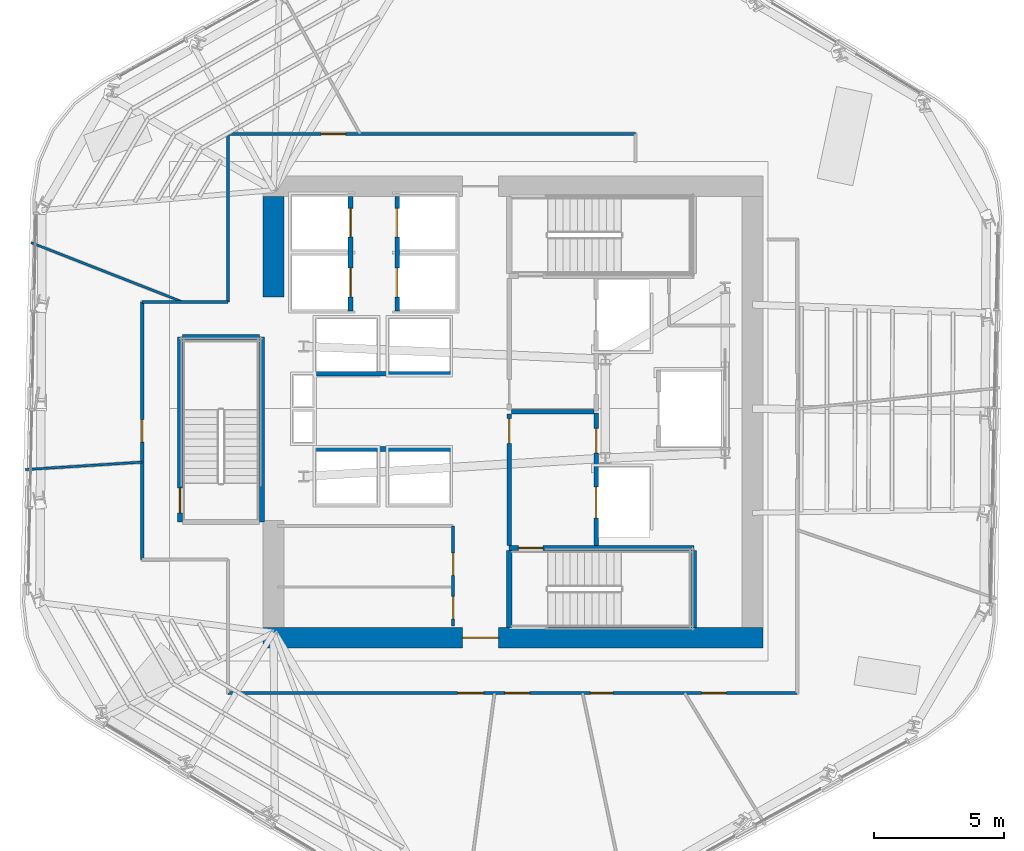
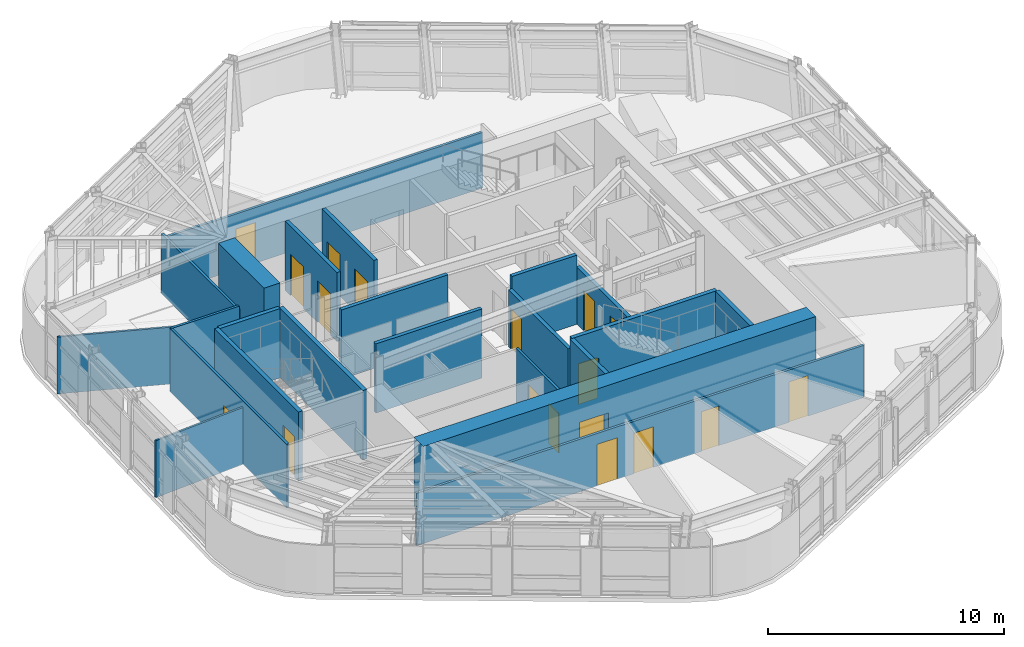
# One storey, part 7 of 14: 23 walls, 18 doors, 18 openings.
"""IFC4 building model written with IfcOpenShell, lengths in metres."""

from ifc_helpers import new_model, si_unit, direction, frame, frame_2d, origin, place, context, subcontext, project, spatial, rectangle, extrude, material, layer, layer_set, type_object, element, fill, save


model = new_model("IFC4")

# Units and contexts
model_context = context("Model", 3, precision=1e-05, world=origin(), true_north=direction((0.0, 1.0)))
body_context = subcontext(model_context, "Body", "Model", "MODEL_VIEW")
ifc_project = project(units=[si_unit("LENGTHUNIT", "METRE"), si_unit("AREAUNIT", "SQUARE_METRE"), si_unit("VOLUMEUNIT", "CUBIC_METRE"), si_unit("PLANEANGLEUNIT", "RADIAN"), si_unit("MASSUNIT", "GRAM", prefix="KILO")], contexts=[model_context])

# Site, building, storey
site_placement = place(None, origin())
site = spatial("IfcSite", under=ifc_project, at=site_placement, CompositionType="ELEMENT")
building_placement = place(site_placement, origin())
building = spatial("IfcBuilding", under=site, at=building_placement, Name="Valkerne Bourse Tower", CompositionType="ELEMENT")
storey_placement = place(building_placement, frame((0.0, 0.0, 147.60009765625)))
storey = spatial("IfcBuildingStorey", under=building, at=storey_placement, Name="L37", CompositionType="ELEMENT", Elevation=147.60009765625)

# Wall, opening, door
ifc_material_1 = material(Name="Concrete C55/67", Category="concrete")
ifc_layer_1 = layer(ifc_material_1, 0.800048828125)
ifc_layer_set_1 = layer_set([ifc_layer_1], Name="Concrete C55/67")
wall_type_1 = type_object("IfcWallType", Name="W-CORE-800", PredefinedType="SHEAR", material=ifc_layer_set_1)
wall_1_placement = place(storey_placement, frame((37.199951171875, 18.199951171875, 0.0), z_axis=(0.0, 0.0, 1.0), x_axis=(1.0, 0.0, 0.0)))
wall_1 = element("IfcWall", 1, at=wall_1_placement, inside=storey, type_object=wall_type_1, Name="L37 Core Shear Wall SOUTH", PredefinedType="SHEAR", context=body_context, shape_type="SweptSolid", body=[
    extrude(rectangle(XDim=19.199951171875, YDim=0.800048828125, at=frame_2d((9.60009765625, 0.0))), origin(), (0.0, 0.0, 1.0), 3.579833984375),
])
opening_1_placement = place(wall_1_placement, frame((7.64990234375, 0.0, 0.0)))
opening_1 = element("IfcOpeningElement", 2, at=opening_1_placement, cuts=wall_1, Name="Opening D-PL-1400", PredefinedType="OPENING", context=body_context, shape_type="SweptSolid", body=[
    extrude(rectangle(XDim=1.39990234375, YDim=2.14990234375, at=frame_2d((0.699951171875, 1.074951171875))), frame((0.0, 0.409912109375, 0.0), z_axis=(0.0, -1.0, 0.0), x_axis=(1.0, 0.0, 0.0)), (0.0, 0.0, 1.0), 0.820068359375),
])
ifc_material_2 = material(Name="Galvanised Painted Steel", Category="steel")
door_type_1 = type_object("IfcDoorType", Name="DR-PLT-1400", OperationType="DOUBLE_DOOR_SINGLE_SWING", PredefinedType="DOOR", material=ifc_material_2)
door_1_placement = place(opening_1_placement, origin())
door_1 = element("IfcDoor", 3, at=door_1_placement, inside=storey, type_object=door_type_1, Name="L37 South Passenger Lift Hall Fire Door", OperationType="DOUBLE_DOOR_SINGLE_SWING", OverallHeight=2.14990234375, OverallWidth=1.39990234375, PredefinedType="DOOR", context=body_context, shape_type="SweptSolid", body=[
    extrude(rectangle(XDim=1.39990234375, YDim=2.14990234375, at=frame_2d((0.699951171875, 1.074951171875))), frame((0.0, 0.02490234375, 0.0), z_axis=(0.0, -1.0, 0.0), x_axis=(1.0, 0.0, 0.0)), (0.0, 0.0, 1.0), 0.050048828125),
])
fill(opening_1, door_1)

# Wall
wall_2_placement = place(storey_placement, frame((37.60009765625, 31.300048828125, 0.0), z_axis=(0.0, 0.0, 1.0), x_axis=(0.0, 1.0, 0.0)))
element("IfcWall", 4, at=wall_2_placement, inside=storey, type_object=wall_type_1, Name="L37 Core Shear Wall WEST-N", PredefinedType="SHEAR", context=body_context, shape_type="SweptSolid", body=[
    extrude(rectangle(XDim=3.849853515625, YDim=0.800048828125, at=frame_2d((1.9248046875, 0.0))), origin(), (0.0, 0.0, 1.0), 3.579833984375),
])

# Wall, openings, doors
ifc_material_3 = material(Name="Gypsum Board Steel-Stud Partition", Category="steel")
ifc_layer_2 = layer(ifc_material_3, 0.117919921875)
ifc_layer_set_2 = layer_set([ifc_layer_2], Name="Gypsum Board Steel-Stud Partition")
wall_type_2 = type_object("IfcWallType", Name="W-CORR-140", PredefinedType="PARTITIONING", material=ifc_layer_set_2)
wall_3_placement = place(storey_placement, frame((44.5, 18.64990234375, 0.0), z_axis=(0.0, 0.0, 1.0), x_axis=(0.0, 1.0, 0.0)))
wall_3 = element("IfcWall", 5, at=wall_3_placement, inside=storey, type_object=wall_type_2, Name="L37 LV7 Low-Bank East Wall", PredefinedType="PARTITIONING", context=body_context, shape_type="SweptSolid", body=[
    extrude(rectangle(XDim=3.85009765625, YDim=0.117919921875, at=frame_2d((1.925048828125, 0.0))), origin(), (0.0, 0.0, 1.0), 3.27978515625),
])
opening_2_placement = place(wall_3_placement, frame((0.280029296875, 0.0, 0.0)))
opening_2 = element("IfcOpeningElement", 6, at=opening_2_placement, cuts=wall_3, Name="Opening D-WC-900", PredefinedType="OPENING", context=body_context, shape_type="SweptSolid", body=[
    extrude(rectangle(XDim=0.860107421875, YDim=2.050048828125, at=frame_2d((0.43017578125, 1.02490234375))), frame((0.0, 0.06884765625, 0.0), z_axis=(0.0, -1.0, 0.0), x_axis=(1.0, 0.0, 0.0)), (0.0, 0.0, 1.0), 0.137939453125),
])
opening_3_placement = place(wall_3_placement, frame((1.949951171875, 0.0, 0.0)))
opening_3 = element("IfcOpeningElement", 7, at=opening_3_placement, cuts=wall_3, Name="Opening D-WC-900", PredefinedType="OPENING", context=body_context, shape_type="SweptSolid", body=[
    extrude(rectangle(XDim=0.860107421875, YDim=2.050048828125, at=frame_2d((0.43017578125, 1.02490234375))), frame((0.0, 0.06884765625, 0.0), z_axis=(0.0, -1.0, 0.0), x_axis=(1.0, 0.0, 0.0)), (0.0, 0.0, 1.0), 0.137939453125),
])
ifc_material_4 = material(Name="Architectural White Oak Timber", Category="wood")
door_type_2 = type_object("IfcDoorType", Name="DR-WC-900", OperationType="NOTDEFINED", PredefinedType="DOOR", material=ifc_material_4)
door_2_placement = place(opening_2_placement, origin())
door_2 = element("IfcDoor", 8, at=door_2_placement, inside=storey, type_object=door_type_2, Name="L37 Tea Pantry Door", OperationType="SINGLE_SWING_RIGHT", OverallHeight=2.050048828125, OverallWidth=0.860107421875, PredefinedType="DOOR", context=body_context, shape_type="SweptSolid", body=[
    extrude(rectangle(XDim=0.860107421875, YDim=2.050048828125, at=frame_2d((0.43017578125, 1.02490234375))), frame((0.0, 0.02490234375, 0.0), z_axis=(0.0, -1.0, 0.0), x_axis=(1.0, 0.0, 0.0)), (0.0, 0.0, 1.0), 0.050048828125),
])
fill(opening_2, door_2)
door_3_placement = place(opening_3_placement, origin())
door_3 = element("IfcDoor", 9, at=door_3_placement, inside=storey, type_object=door_type_2, Name="L37 Portfolio Risk Office Door", OperationType="SINGLE_SWING_RIGHT", OverallHeight=2.050048828125, OverallWidth=0.860107421875, PredefinedType="DOOR", context=body_context, shape_type="SweptSolid", body=[
    extrude(rectangle(XDim=0.860107421875, YDim=2.050048828125, at=frame_2d((0.43017578125, 1.02490234375))), frame((0.0, 0.02490234375, 0.0), z_axis=(0.0, -1.0, 0.0), x_axis=(1.0, 0.0, 0.0)), (0.0, 0.0, 1.0), 0.050048828125),
])
fill(opening_3, door_3)

# Wall, opening, door
wall_4_placement = place(storey_placement, frame((32.550048828125, 21.199951171875, 0.0), z_axis=(0.0, 0.0, 1.0), x_axis=(0.0, 1.0, 0.0)))
wall_4 = element("IfcWall", 10, at=wall_4_placement, inside=storey, type_object=wall_type_2, Name="L37 Corridor Enclosure Wall", PredefinedType="PARTITIONING", context=body_context, shape_type="SweptSolid", body=[
    extrude(rectangle(XDim=9.900146484375, YDim=0.117919921875, at=frame_2d((4.9501953125, 0.0))), origin(), (0.0, 0.0, 1.0), 3.27978515625),
])
opening_4_placement = place(wall_4_placement, frame((4.52001953125, 0.0, 0.0)))
opening_4 = element("IfcOpeningElement", 11, at=opening_4_placement, cuts=wall_4, Name="Opening D-WC-900", PredefinedType="OPENING", context=body_context, shape_type="SweptSolid", body=[
    extrude(rectangle(XDim=0.860107421875, YDim=2.050048828125, at=frame_2d((0.43017578125, 1.02490234375))), frame((0.0, 0.06884765625, 0.0), z_axis=(0.0, -1.0, 0.0), x_axis=(1.0, 0.0, 0.0)), (0.0, 0.0, 1.0), 0.137939453125),
])
door_4_placement = place(opening_4_placement, origin())
door_4 = element("IfcDoor", 12, at=door_4_placement, inside=storey, type_object=door_type_2, Name="L37 L37 Women Restroom & Shower WC 2 Door", OperationType="SINGLE_SWING_LEFT", OverallHeight=2.050048828125, OverallWidth=0.860107421875, PredefinedType="DOOR", context=body_context, shape_type="SweptSolid", body=[
    extrude(rectangle(XDim=0.860107421875, YDim=2.050048828125, at=frame_2d((0.43017578125, 1.02490234375))), frame((0.0, 0.02490234375, 0.0), z_axis=(0.0, -1.0, 0.0), x_axis=(1.0, 0.0, 0.0)), (0.0, 0.0, 1.0), 0.050048828125),
])
fill(opening_4, door_4)

# Walls
wall_5_placement = place(storey_placement, frame((32.550048828125, 31.10009765625, 0.0), z_axis=(0.0, 0.0, 1.0), x_axis=(1.0, 0.0, 0.0)))
element("IfcWall", 13, at=wall_5_placement, inside=storey, type_object=wall_type_2, Name="L37 Corridor Enclosure Wall", PredefinedType="PARTITIONING", context=body_context, shape_type="SweptSolid", body=[
    extrude(rectangle(XDim=3.300048828125, YDim=0.117919921875, at=frame_2d((1.64990234375, 0.0))), origin(), (0.0, 0.0, 1.0), 3.27978515625),
])
wall_6_placement = place(storey_placement, frame((35.85009765625, 31.10009765625, 0.0), z_axis=(0.0, 0.0, 1.0), x_axis=(0.0, 1.0, 0.0)))
element("IfcWall", 14, at=wall_6_placement, inside=storey, type_object=wall_type_2, Name="L37 Corridor Enclosure Wall", PredefinedType="PARTITIONING", context=body_context, shape_type="SweptSolid", body=[
    extrude(rectangle(XDim=6.4599609375, YDim=0.117919921875, at=frame_2d((3.22998046875, 0.0))), origin(), (0.0, 0.0, 1.0), 3.107666015625),
])

# Wall, opening, door
wall_7_placement = place(storey_placement, frame((35.85009765625, 37.56005859375, 0.0), z_axis=(0.0, 0.0, 1.0), x_axis=(1.0, 0.0, 0.0)))
wall_7 = element("IfcWall", 15, at=wall_7_placement, inside=storey, type_object=wall_type_2, Name="L37 Corridor Enclosure Wall", PredefinedType="PARTITIONING", context=body_context, shape_type="SweptSolid", body=[
    extrude(rectangle(XDim=15.64990234375, YDim=0.117919921875, at=frame_2d((7.824951171875, 0.0))), origin(), (0.0, 0.0, 1.0), 2.87646484375),
])
opening_5_placement = place(wall_7_placement, frame((3.570068359375, 0.0, 0.0)))
opening_5 = element("IfcOpeningElement", 16, at=opening_5_placement, cuts=wall_7, Name="Opening D-OF-950", PredefinedType="OPENING", context=body_context, shape_type="SweptSolid", body=[
    extrude(rectangle(XDim=0.949951171875, YDim=2.10009765625, at=frame_2d((0.47509765625, 1.050048828125))), frame((0.0, 0.06884765625, 0.0), z_axis=(0.0, -1.0, 0.0), x_axis=(1.0, 0.0, 0.0)), (0.0, 0.0, 1.0), 0.137939453125),
])
door_type_3 = type_object("IfcDoorType", Name="DR-OFF-950", OperationType="NOTDEFINED", PredefinedType="DOOR", material=ifc_material_4)
door_5_placement = place(opening_5_placement, origin())
door_5 = element("IfcDoor", 17, at=door_5_placement, inside=storey, type_object=door_type_3, Name="L37 L37 VIP Client Concierge Reception 6 Door", OperationType="SINGLE_SWING_LEFT", OverallHeight=2.10009765625, OverallWidth=0.949951171875, PredefinedType="DOOR", context=body_context, shape_type="SweptSolid", body=[
    extrude(rectangle(XDim=0.949951171875, YDim=2.10009765625, at=frame_2d((0.47509765625, 1.050048828125))), frame((0.0, 0.02490234375, 0.0), z_axis=(0.0, -1.0, 0.0), x_axis=(1.0, 0.0, 0.0)), (0.0, 0.0, 1.0), 0.050048828125),
])
fill(opening_5, door_5)

# Wall, openings, doors
wall_8_placement = place(storey_placement, frame((57.719970703125, 16.080078125, 0.0), z_axis=(0.0, 0.0, 1.0), x_axis=(-1.0, 0.0, 0.0)))
wall_8 = element("IfcWall", 18, at=wall_8_placement, inside=storey, type_object=wall_type_2, Name="L37 Corridor Enclosure Wall", PredefinedType="PARTITIONING", context=body_context, shape_type="SweptSolid", body=[
    extrude(rectangle(XDim=21.869873046875, YDim=0.117919921875, at=frame_2d((10.93505859375, 0.0))), origin(), (0.0, 0.0, 1.0), 2.71142578125),
])
opening_6_placement = place(wall_8_placement, frame((7.0849609375, 0.0, 0.0)))
opening_6 = element("IfcOpeningElement", 19, at=opening_6_placement, cuts=wall_8, Name="Opening D-WC-900", PredefinedType="OPENING", context=body_context, shape_type="SweptSolid", body=[
    extrude(rectangle(XDim=0.860107421875, YDim=2.050048828125, at=frame_2d((0.43017578125, 1.02490234375))), frame((0.0, 0.06884765625, 0.0), z_axis=(0.0, -1.0, 0.0), x_axis=(1.0, 0.0, 0.0)), (0.0, 0.0, 1.0), 0.137939453125),
])
opening_7_placement = place(wall_8_placement, frame((10.280029296875, 0.0, 0.0)))
opening_7 = element("IfcOpeningElement", 20, at=opening_7_placement, cuts=wall_8, Name="Opening D-OF-950", PredefinedType="OPENING", context=body_context, shape_type="SweptSolid", body=[
    extrude(rectangle(XDim=0.949951171875, YDim=2.10009765625, at=frame_2d((0.47509765625, 1.050048828125))), frame((0.0, 0.06884765625, 0.0), z_axis=(0.0, -1.0, 0.0), x_axis=(1.0, 0.0, 0.0)), (0.0, 0.0, 1.0), 0.137939453125),
])
opening_8_placement = place(wall_8_placement, frame((2.719970703125, 0.0, 0.0)))
opening_8 = element("IfcOpeningElement", 21, at=opening_8_placement, cuts=wall_8, Name="Opening D-OF-950", PredefinedType="OPENING", context=body_context, shape_type="SweptSolid", body=[
    extrude(rectangle(XDim=0.949951171875, YDim=2.10009765625, at=frame_2d((0.47509765625, 1.050048828125))), frame((0.0, 0.06884765625, 0.0), z_axis=(0.0, -1.0, 0.0), x_axis=(1.0, 0.0, 0.0)), (0.0, 0.0, 1.0), 0.137939453125),
])
opening_9_placement = place(wall_8_placement, frame((12.054931640625, 0.0, 0.0)))
opening_9 = element("IfcOpeningElement", 22, at=opening_9_placement, cuts=wall_8, Name="Opening D-MG-1000", PredefinedType="OPENING", context=body_context, shape_type="SweptSolid", body=[
    extrude(rectangle(XDim=1.0, YDim=2.14990234375, at=frame_2d((0.5, 1.074951171875))), frame((0.0, 0.06884765625, 0.0), z_axis=(0.0, -1.0, 0.0), x_axis=(1.0, 0.0, 0.0)), (0.0, 0.0, 1.0), 0.137939453125),
])
ifc_material_5 = material(Name="Laminated Tempered Safety Glass", Category="glass")
door_type_4 = type_object("IfcDoorType", Name="DR-MTG-1000", OperationType="NOTDEFINED", PredefinedType="DOOR", material=ifc_material_5)
door_6_placement = place(opening_9_placement, origin())
door_6 = element("IfcDoor", 23, at=door_6_placement, inside=storey, type_object=door_type_4, Name="L37 L37 Client Strategy Conference Room 7 Door", OperationType="SINGLE_SWING_RIGHT", OverallHeight=2.14990234375, OverallWidth=1.0, PredefinedType="DOOR", context=body_context, shape_type="SweptSolid", body=[
    extrude(rectangle(XDim=1.0, YDim=2.14990234375, at=frame_2d((0.5, 1.074951171875))), frame((0.0, 0.02490234375, 0.0), z_axis=(0.0, -1.0, 0.0), x_axis=(1.0, 0.0, 0.0)), (0.0, 0.0, 1.0), 0.050048828125),
])
fill(opening_9, door_6)
door_7_placement = place(opening_7_placement, origin())
door_7 = element("IfcDoor", 24, at=door_7_placement, inside=storey, type_object=door_type_3, Name="L37 L37 Occupational Wellness Clinic 3 Door", OperationType="SINGLE_SWING_LEFT", OverallHeight=2.10009765625, OverallWidth=0.949951171875, PredefinedType="DOOR", context=body_context, shape_type="SweptSolid", body=[
    extrude(rectangle(XDim=0.949951171875, YDim=2.10009765625, at=frame_2d((0.47509765625, 1.050048828125))), frame((0.0, 0.02490234375, 0.0), z_axis=(0.0, -1.0, 0.0), x_axis=(1.0, 0.0, 0.0)), (0.0, 0.0, 1.0), 0.050048828125),
])
fill(opening_7, door_7)
door_8_placement = place(opening_8_placement, origin())
door_8 = element("IfcDoor", 25, at=door_8_placement, inside=storey, type_object=door_type_3, Name="L37 L37 VIP Client Concierge Reception 5 Door", OperationType="SINGLE_SWING_LEFT", OverallHeight=2.10009765625, OverallWidth=0.949951171875, PredefinedType="DOOR", context=body_context, shape_type="SweptSolid", body=[
    extrude(rectangle(XDim=0.949951171875, YDim=2.10009765625, at=frame_2d((0.47509765625, 1.050048828125))), frame((0.0, 0.02490234375, 0.0), z_axis=(0.0, -1.0, 0.0), x_axis=(1.0, 0.0, 0.0)), (0.0, 0.0, 1.0), 0.050048828125),
])
fill(opening_8, door_8)
door_9_placement = place(opening_6_placement, origin())
door_9 = element("IfcDoor", 26, at=door_9_placement, inside=storey, type_object=door_type_2, Name="L37 L37 Men Bathroom WC 1 Door", OperationType="SINGLE_SWING_LEFT", OverallHeight=2.050048828125, OverallWidth=0.860107421875, PredefinedType="DOOR", context=body_context, shape_type="SweptSolid", body=[
    extrude(rectangle(XDim=0.860107421875, YDim=2.050048828125, at=frame_2d((0.43017578125, 1.02490234375))), frame((0.0, 0.02490234375, 0.0), z_axis=(0.0, -1.0, 0.0), x_axis=(1.0, 0.0, 0.0)), (0.0, 0.0, 1.0), 0.050048828125),
])
fill(opening_6, door_9)

# Wall
ifc_material_6 = material(Name="Gypsum Fire-Rated Shaftwall", Category="gypsum")
ifc_layer_3 = layer(ifc_material_6, 0.179931640625)
ifc_layer_set_3 = layer_set([ifc_layer_3], Name="Gypsum Fire-Rated Shaftwall")
wall_type_3 = type_object("IfcWallType", Name="W-FSAE-180", PredefinedType="PARTITIONING", material=ifc_layer_set_3)
wall_9_placement = place(storey_placement, frame((46.739990234375, 26.8798828125, 0.0), z_axis=(0.0, 0.0, 1.0), x_axis=(1.0, 0.0, 0.0)))
element("IfcWall", 27, at=wall_9_placement, inside=storey, type_object=wall_type_3, Name="L37 FSAE-1/2 Lobby Dividing Fire Wall", PredefinedType="PARTITIONING", context=body_context, shape_type="SweptSolid", body=[
    extrude(rectangle(XDim=3.169921875, YDim=0.179931640625, at=frame_2d((1.5849609375, 0.0))), origin(), (0.0, 0.0, 1.0), 3.579833984375),
])

# Wall, opening, door
wall_10_placement = place(storey_placement, frame((46.64990234375, 21.75, 0.0), z_axis=(0.0, 0.0, 1.0), x_axis=(0.0, 1.0, 0.0)))
wall_10 = element("IfcWall", 28, at=wall_10_placement, inside=storey, type_object=wall_type_3, Name="L37 FSAE-1 Lobby West Fire Wall", PredefinedType="PARTITIONING", context=body_context, shape_type="SweptSolid", body=[
    extrude(rectangle(XDim=5.050048828125, YDim=0.179931640625, at=frame_2d((2.52490234375, 0.0))), origin(), (0.0, 0.0, 1.0), 2.9580078125),
])
opening_10_placement = place(wall_10_placement, frame((3.919921875, 0.0, 0.0)))
opening_10 = element("IfcOpeningElement", 29, at=opening_10_placement, cuts=wall_10, Name="Opening D-FS-950", PredefinedType="OPENING", context=body_context, shape_type="SweptSolid", body=[
    extrude(rectangle(XDim=0.949951171875, YDim=2.10009765625, at=frame_2d((0.47509765625, 1.050048828125))), frame((0.0, 0.099853515625, 0.0), z_axis=(0.0, -1.0, 0.0), x_axis=(1.0, 0.0, 0.0)), (0.0, 0.0, 1.0), 0.199951171875),
])
door_type_5 = type_object("IfcDoorType", Name="DR-FSAE-950", OperationType="NOTDEFINED", PredefinedType="DOOR", material=ifc_material_2)
door_10_placement = place(opening_10_placement, origin())
door_10 = element("IfcDoor", 30, at=door_10_placement, inside=storey, type_object=door_type_5, Name="L37 FSAE-1 Hall Link Fire Door", OperationType="SINGLE_SWING_RIGHT", OverallHeight=2.10009765625, OverallWidth=0.949951171875, PredefinedType="DOOR", context=body_context, shape_type="SweptSolid", body=[
    extrude(rectangle(XDim=0.949951171875, YDim=2.10009765625, at=frame_2d((0.47509765625, 1.050048828125))), frame((0.0, 0.02490234375, 0.0), z_axis=(0.0, -1.0, 0.0), x_axis=(1.0, 0.0, 0.0)), (0.0, 0.0, 1.0), 0.050048828125),
])
fill(opening_10, door_10)

# Wall, openings, doors
wall_11_placement = place(storey_placement, frame((50.0, 21.75, 0.0), z_axis=(0.0, 0.0, 1.0), x_axis=(0.0, 1.0, 0.0)))
wall_11 = element("IfcWall", 31, at=wall_11_placement, inside=storey, type_object=wall_type_3, Name="L37 FSAE-1 Lobby & Shaft Front Wall", PredefinedType="PARTITIONING", context=body_context, shape_type="SweptSolid", body=[
    extrude(rectangle(XDim=5.090087890625, YDim=0.179931640625, at=frame_2d((2.544921875, 0.0))), origin(), (0.0, 0.0, 1.0), 2.9580078125),
])
opening_11_placement = place(wall_11_placement, frame((1.050048828125, 0.0, 0.0)))
opening_11 = element("IfcOpeningElement", 32, at=opening_11_placement, cuts=wall_11, Name="Opening LD-1200", PredefinedType="OPENING", context=body_context, shape_type="SweptSolid", body=[
    extrude(rectangle(XDim=1.199951171875, YDim=2.14990234375, at=frame_2d((0.60009765625, 1.074951171875))), frame((0.0, 0.099853515625, 0.0), z_axis=(0.0, -1.0, 0.0), x_axis=(1.0, 0.0, 0.0)), (0.0, 0.0, 1.0), 0.199951171875),
])
opening_12_placement = place(wall_11_placement, frame((3.550048828125, 0.0, 0.0)))
opening_12 = element("IfcOpeningElement", 33, at=opening_12_placement, cuts=wall_11, Name="Opening D-FS-950", PredefinedType="OPENING", context=body_context, shape_type="SweptSolid", body=[
    extrude(rectangle(XDim=0.949951171875, YDim=2.10009765625, at=frame_2d((0.47509765625, 1.050048828125))), frame((0.0, 0.099853515625, 0.0), z_axis=(0.0, -1.0, 0.0), x_axis=(1.0, 0.0, 0.0)), (0.0, 0.0, 1.0), 0.199951171875),
])
door_11_placement = place(opening_12_placement, origin())
door_11 = element("IfcDoor", 34, at=door_11_placement, inside=storey, type_object=door_type_5, Name="L37 FSAE-1 Lobby Corridor Fire Door", OperationType="SINGLE_SWING_RIGHT", OverallHeight=2.10009765625, OverallWidth=0.949951171875, PredefinedType="DOOR", context=body_context, shape_type="SweptSolid", body=[
    extrude(rectangle(XDim=0.949951171875, YDim=2.10009765625, at=frame_2d((0.47509765625, 1.050048828125))), frame((0.0, 0.02490234375, 0.0), z_axis=(0.0, -1.0, 0.0), x_axis=(1.0, 0.0, 0.0)), (0.0, 0.0, 1.0), 0.050048828125),
])
fill(opening_12, door_11)
ifc_material_7 = material(Name="Stainless Steel AISI 316", Category="steel")
door_type_6 = type_object("IfcDoorType", Name="DR-LIFT-1200", OperationType="DOUBLE_DOOR_SLIDING", PredefinedType="DOOR", material=ifc_material_7)
door_12_placement = place(opening_11_placement, origin())
door_12 = element("IfcDoor", 35, at=door_12_placement, inside=storey, type_object=door_type_6, Name="L37 FSAE-1 Firefighting Lift Landing Door", OperationType="DOUBLE_DOOR_SLIDING", OverallHeight=2.14990234375, OverallWidth=1.199951171875, PredefinedType="DOOR", context=body_context, shape_type="SweptSolid", body=[
    extrude(rectangle(XDim=1.199951171875, YDim=2.14990234375, at=frame_2d((0.60009765625, 1.074951171875))), frame((0.0, 0.02490234375, 0.0), z_axis=(0.0, -1.0, 0.0), x_axis=(1.0, 0.0, 0.0)), (0.0, 0.0, 1.0), 0.050048828125),
])
fill(opening_11, door_12)

ifc_material_8 = material(Name="CMU Blockwork Masonry 200mm", Category="masonry")
ifc_layer_4 = layer(ifc_material_8, 0.179931640625)
ifc_layer_set_4 = layer_set([ifc_layer_4], Name="CMU Blockwork Masonry 200mm")
wall_type_4 = type_object("IfcWallType", Name="W-LFT-180", PredefinedType="SOLIDWALL", material=ifc_layer_set_4)
wall_12_placement = place(storey_placement, frame((40.550048828125, 30.75, 0.0), z_axis=(0.0, 0.0, 1.0), x_axis=(0.0, 1.0, 0.0)))
wall_12 = element("IfcWall", 36, at=wall_12_placement, inside=storey, type_object=wall_type_4, Name="L37 Mid-Zone West Cars Front Wall", PredefinedType="SOLIDWALL", context=body_context, shape_type="SweptSolid", body=[
    extrude(rectangle(XDim=4.39990234375, YDim=0.179931640625, at=frame_2d((2.199951171875, 0.0))), origin(), (0.0, 0.0, 1.0), 3.579833984375),
])
opening_13_placement = place(wall_12_placement, frame((0.550048828125, 0.0, 0.0)))
opening_13 = element("IfcOpeningElement", 37, at=opening_13_placement, cuts=wall_12, Name="Opening LD-1100", PredefinedType="OPENING", context=body_context, shape_type="SweptSolid", body=[
    extrude(rectangle(XDim=1.10009765625, YDim=2.14990234375, at=frame_2d((0.550048828125, 1.074951171875))), frame((0.0, 0.099853515625, 0.0), z_axis=(0.0, -1.0, 0.0), x_axis=(1.0, 0.0, 0.0)), (0.0, 0.0, 1.0), 0.199951171875),
])
opening_14_placement = place(wall_12_placement, frame((2.85009765625, 0.0, 0.0)))
opening_14 = element("IfcOpeningElement", 38, at=opening_14_placement, cuts=wall_12, Name="Opening LD-1100", PredefinedType="OPENING", context=body_context, shape_type="SweptSolid", body=[
    extrude(rectangle(XDim=1.10009765625, YDim=2.14990234375, at=frame_2d((0.550048828125, 1.074951171875))), frame((0.0, 0.099853515625, 0.0), z_axis=(0.0, -1.0, 0.0), x_axis=(1.0, 0.0, 0.0)), (0.0, 0.0, 1.0), 0.199951171875),
])
door_type_7 = type_object("IfcDoorType", Name="DR-LIFT-1100", OperationType="DOUBLE_DOOR_SLIDING", PredefinedType="DOOR", material=ifc_material_7)
door_13_placement = place(opening_13_placement, origin())
door_13 = element("IfcDoor", 39, at=door_13_placement, inside=storey, type_object=door_type_7, Name="L37 Passenger Lift PL-M1 Sliding Landing Door", OperationType="DOUBLE_DOOR_SLIDING", OverallHeight=2.14990234375, OverallWidth=1.10009765625, PredefinedType="DOOR", context=body_context, shape_type="SweptSolid", body=[
    extrude(rectangle(XDim=1.10009765625, YDim=2.14990234375, at=frame_2d((0.550048828125, 1.074951171875))), frame((0.0, 0.02490234375, 0.0), z_axis=(0.0, -1.0, 0.0), x_axis=(1.0, 0.0, 0.0)), (0.0, 0.0, 1.0), 0.050048828125),
])
fill(opening_13, door_13)
door_14_placement = place(opening_14_placement, origin())
door_14 = element("IfcDoor", 40, at=door_14_placement, inside=storey, type_object=door_type_7, Name="L37 Passenger Lift PL-M2 Sliding Landing Door", OperationType="DOUBLE_DOOR_SLIDING", OverallHeight=2.14990234375, OverallWidth=1.10009765625, PredefinedType="DOOR", context=body_context, shape_type="SweptSolid", body=[
    extrude(rectangle(XDim=1.10009765625, YDim=2.14990234375, at=frame_2d((0.550048828125, 1.074951171875))), frame((0.0, 0.02490234375, 0.0), z_axis=(0.0, -1.0, 0.0), x_axis=(1.0, 0.0, 0.0)), (0.0, 0.0, 1.0), 0.050048828125),
])
fill(opening_14, door_14)

wall_13_placement = place(storey_placement, frame((42.35009765625, 30.75, 0.0), z_axis=(0.0, 0.0, 1.0), x_axis=(0.0, 1.0, 0.0)))
wall_13 = element("IfcWall", 41, at=wall_13_placement, inside=storey, type_object=wall_type_4, Name="L37 Mid-Zone East Cars Front Wall", PredefinedType="SOLIDWALL", context=body_context, shape_type="SweptSolid", body=[
    extrude(rectangle(XDim=4.39990234375, YDim=0.179931640625, at=frame_2d((2.199951171875, 0.0))), origin(), (0.0, 0.0, 1.0), 3.579833984375),
])
opening_15_placement = place(wall_13_placement, frame((0.550048828125, 0.0, 0.0)))
opening_15 = element("IfcOpeningElement", 42, at=opening_15_placement, cuts=wall_13, Name="Opening LD-1100", PredefinedType="OPENING", context=body_context, shape_type="SweptSolid", body=[
    extrude(rectangle(XDim=1.10009765625, YDim=2.14990234375, at=frame_2d((0.550048828125, 1.074951171875))), frame((0.0, 0.099853515625, 0.0), z_axis=(0.0, -1.0, 0.0), x_axis=(1.0, 0.0, 0.0)), (0.0, 0.0, 1.0), 0.199951171875),
])
opening_16_placement = place(wall_13_placement, frame((2.85009765625, 0.0, 0.0)))
opening_16 = element("IfcOpeningElement", 43, at=opening_16_placement, cuts=wall_13, Name="Opening LD-1100", PredefinedType="OPENING", context=body_context, shape_type="SweptSolid", body=[
    extrude(rectangle(XDim=1.10009765625, YDim=2.14990234375, at=frame_2d((0.550048828125, 1.074951171875))), frame((0.0, 0.099853515625, 0.0), z_axis=(0.0, -1.0, 0.0), x_axis=(1.0, 0.0, 0.0)), (0.0, 0.0, 1.0), 0.199951171875),
])
door_15_placement = place(opening_15_placement, origin())
door_15 = element("IfcDoor", 44, at=door_15_placement, inside=storey, type_object=door_type_7, Name="L37 Passenger Lift PL-M3 Sliding Landing Door", OperationType="DOUBLE_DOOR_SLIDING", OverallHeight=2.14990234375, OverallWidth=1.10009765625, PredefinedType="DOOR", context=body_context, shape_type="SweptSolid", body=[
    extrude(rectangle(XDim=1.10009765625, YDim=2.14990234375, at=frame_2d((0.550048828125, 1.074951171875))), frame((0.0, 0.02490234375, 0.0), z_axis=(0.0, -1.0, 0.0), x_axis=(1.0, 0.0, 0.0)), (0.0, 0.0, 1.0), 0.050048828125),
])
fill(opening_15, door_15)
door_16_placement = place(opening_16_placement, origin())
door_16 = element("IfcDoor", 45, at=door_16_placement, inside=storey, type_object=door_type_7, Name="L37 Passenger Lift PL-M4 Sliding Landing Door", OperationType="DOUBLE_DOOR_SLIDING", OverallHeight=2.14990234375, OverallWidth=1.10009765625, PredefinedType="DOOR", context=body_context, shape_type="SweptSolid", body=[
    extrude(rectangle(XDim=1.10009765625, YDim=2.14990234375, at=frame_2d((0.550048828125, 1.074951171875))), frame((0.0, 0.02490234375, 0.0), z_axis=(0.0, -1.0, 0.0), x_axis=(1.0, 0.0, 0.0)), (0.0, 0.0, 1.0), 0.050048828125),
])
fill(opening_16, door_16)

# Walls
for number, where, z_axis, x_axis, name in (
    (46, (39.25, 25.449951171875, 0.0), (0.0, 0.0, 1.0), (1.0, 0.0, 0.0), "L37 High-Zone South Cars Front Wall"),
    (47, (39.25, 28.35009765625, 0.0), (0.0, 0.0, 1.0), (1.0, 0.0, 0.0), "L37 High-Zone North Cars Front Wall"),
):
    element("IfcWall", number, at=place(storey_placement, frame(where, z_axis=z_axis, x_axis=x_axis)), inside=storey, type_object=wall_type_4, Name=name, PredefinedType="SOLIDWALL", context=body_context, shape_type="SweptSolid", body=[
        extrude(rectangle(XDim=5.199951171875, YDim=0.179931640625, at=frame_2d((2.60009765625, 0.0))), origin(), (0.0, 0.0, 1.0), 3.579833984375),
    ])
ifc_layer_5 = layer(ifc_material_3, 0.092041015625)
ifc_layer_set_5 = layer_set([ifc_layer_5], Name="Gypsum Board Steel-Stud Partition")
wall_type_5 = type_object("IfcWallType", Name="W-PART-115", PredefinedType="PARTITIONING", material=ifc_layer_set_5)
wall_14_placement = place(storey_placement, frame((34.097900390625, 31.10498046875, 0.0), z_axis=(0.0, 0.0, 1.0), x_axis=(-0.931244510641, 0.364394925047, 0.0)))
element("IfcWall", 48, at=wall_14_placement, inside=storey, type_object=wall_type_5, Name="L37 Suite Partition P07", PredefinedType="PARTITIONING", context=body_context, shape_type="SweptSolid", body=[
    extrude(rectangle(XDim=6.242919921875, YDim=0.092041015625, at=frame_2d((3.12158203125, 0.0))), origin(), (0.0, 0.0, 1.0), 2.9423828125),
])
wall_15_placement = place(storey_placement, frame((32.544921875, 24.94873046875, 0.0), z_axis=(0.0, 0.0, 1.0), x_axis=(-0.997957024334, -0.063888790734, 0.0)))
element("IfcWall", 49, at=wall_15_placement, inside=storey, type_object=wall_type_5, Name="L37 Suite Partition P08", PredefinedType="PARTITIONING", context=body_context, shape_type="SweptSolid", body=[
    extrude(rectangle(XDim=4.497802734375, YDim=0.092041015625, at=frame_2d((2.2490234375, 0.0))), origin(), (0.0, 0.0, 1.0), 2.9423828125),
])

# Wall, opening, door
ifc_material_9 = material(Name="Concrete C40/50", Category="concrete")
ifc_layer_6 = layer(ifc_material_9, 0.199951171875)
ifc_layer_set_6 = layer_set([ifc_layer_6], Name="Concrete C40/50")
wall_type_6 = type_object("IfcWallType", Name="W-SHF-200", PredefinedType="SHEAR", material=ifc_layer_set_6)
wall_16_placement = place(storey_placement, frame((46.64990234375, 21.64990234375, 0.0), z_axis=(0.0, 0.0, 1.0), x_axis=(1.0, 0.0, 0.0)))
wall_16 = element("IfcWall", 50, at=wall_16_placement, inside=storey, type_object=wall_type_6, Name="L37 Exit Stair ST-1 Structural Shaft Wall North", PredefinedType="SHEAR", context=body_context, shape_type="SweptSolid", body=[
    extrude(rectangle(XDim=7.10009765625, YDim=0.199951171875, at=frame_2d((3.550048828125, 0.0))), origin(), (0.0, 0.0, 1.0), 3.579833984375),
])
opening_17_placement = place(wall_16_placement, frame((0.35009765625, 0.0, 0.0)))
opening_17 = element("IfcOpeningElement", 51, at=opening_17_placement, cuts=wall_16, Name="Opening D-ST-950", PredefinedType="OPENING", context=body_context, shape_type="SweptSolid", body=[
    extrude(rectangle(XDim=0.949951171875, YDim=2.10009765625, at=frame_2d((0.47509765625, 1.050048828125))), frame((0.0, 0.10986328125, 0.0), z_axis=(0.0, -1.0, 0.0), x_axis=(1.0, 0.0, 0.0)), (0.0, 0.0, 1.0), 0.219970703125),
])
door_type_8 = type_object("IfcDoorType", Name="DR-STAIR-950", OperationType="NOTDEFINED", PredefinedType="DOOR", material=ifc_material_2)
door_17_placement = place(opening_17_placement, origin())
door_17 = element("IfcDoor", 52, at=door_17_placement, inside=storey, type_object=door_type_8, Name="L37 Exit Stair ST-1 Door", OperationType="SINGLE_SWING_LEFT", OverallHeight=2.10009765625, OverallWidth=0.949951171875, PredefinedType="DOOR", context=body_context, shape_type="SweptSolid", body=[
    extrude(rectangle(XDim=0.949951171875, YDim=2.10009765625, at=frame_2d((0.47509765625, 1.050048828125))), frame((0.0, 0.02490234375, 0.0), z_axis=(0.0, -1.0, 0.0), x_axis=(1.0, 0.0, 0.0)), (0.0, 0.0, 1.0), 0.050048828125),
])
fill(opening_17, door_17)

# Walls
for number, where, z_axis, x_axis, name in (
    (53, (46.64990234375, 18.60009765625, 0.0), (0.0, 0.0, 1.0), (0.0, 1.0, 0.0), "L37 Exit Stair ST-1 Structural Shaft Wall West"),
    (54, (53.75, 18.60009765625, 0.0), (0.0, 0.0, 1.0), (0.0, 1.0, 0.0), "L37 Exit Stair ST-1 Structural Shaft Wall East"),
):
    element("IfcWall", number, at=place(storey_placement, frame(where, z_axis=z_axis, x_axis=x_axis)), inside=storey, type_object=wall_type_6, Name=name, PredefinedType="SHEAR", context=body_context, shape_type="SweptSolid", body=[
        extrude(rectangle(XDim=2.949951171875, YDim=0.199951171875, at=frame_2d((1.47509765625, 0.0))), origin(), (0.0, 0.0, 1.0), 3.579833984375),
    ])

# Wall, opening, door
wall_17_placement = place(storey_placement, frame((34.0, 22.64990234375, 0.0), z_axis=(0.0, 0.0, 1.0), x_axis=(0.0, 1.0, 0.0)))
wall_17 = element("IfcWall", 55, at=wall_17_placement, inside=storey, type_object=wall_type_6, Name="L37 Exit Stair ST-3 Structural Shaft Wall West", PredefinedType="SHEAR", context=body_context, shape_type="SweptSolid", body=[
    extrude(rectangle(XDim=7.10009765625, YDim=0.199951171875, at=frame_2d((3.550048828125, 0.0))), origin(), (0.0, 0.0, 1.0), 3.579833984375),
])
opening_18_placement = place(wall_17_placement, frame((0.35009765625, 0.0, 0.0)))
opening_18 = element("IfcOpeningElement", 56, at=opening_18_placement, cuts=wall_17, Name="Opening D-ST-950", PredefinedType="OPENING", context=body_context, shape_type="SweptSolid", body=[
    extrude(rectangle(XDim=0.949951171875, YDim=2.10009765625, at=frame_2d((0.47509765625, 1.050048828125))), frame((0.0, 0.10986328125, 0.0), z_axis=(0.0, -1.0, 0.0), x_axis=(1.0, 0.0, 0.0)), (0.0, 0.0, 1.0), 0.219970703125),
])
door_18_placement = place(opening_18_placement, origin())
door_18 = element("IfcDoor", 57, at=door_18_placement, inside=storey, type_object=door_type_8, Name="L37 Exit Stair ST-3 Door", OperationType="SINGLE_SWING_RIGHT", OverallHeight=2.10009765625, OverallWidth=0.949951171875, PredefinedType="DOOR", context=body_context, shape_type="SweptSolid", body=[
    extrude(rectangle(XDim=0.949951171875, YDim=2.10009765625, at=frame_2d((0.47509765625, 1.050048828125))), frame((0.0, 0.02490234375, 0.0), z_axis=(0.0, -1.0, 0.0), x_axis=(1.0, 0.0, 0.0)), (0.0, 0.0, 1.0), 0.050048828125),
])
fill(opening_18, door_18)

# Walls
wall_18_placement = place(storey_placement, frame((34.10009765625, 29.75, 0.0), z_axis=(0.0, 0.0, 1.0), x_axis=(1.0, 0.0, 0.0)))
element("IfcWall", 58, at=wall_18_placement, inside=storey, type_object=wall_type_6, Name="L37 Exit Stair ST-3 Structural Shaft Wall North", PredefinedType="SHEAR", context=body_context, shape_type="SweptSolid", body=[
    extrude(rectangle(XDim=2.949951171875, YDim=0.199951171875, at=frame_2d((1.47509765625, 0.0))), origin(), (0.0, 0.0, 1.0), 3.579833984375),
])
wall_19_placement = place(storey_placement, frame((37.14990234375, 22.64990234375, 0.0), z_axis=(0.0, 0.0, 1.0), x_axis=(0.0, 1.0, 0.0)))
element("IfcWall", 59, at=wall_19_placement, inside=storey, type_object=wall_type_6, Name="L37 Exit Stair ST-3 Structural Shaft Wall East", PredefinedType="SHEAR", context=body_context, shape_type="SweptSolid", body=[
    extrude(rectangle(XDim=7.10009765625, YDim=0.199951171875, at=frame_2d((3.550048828125, 0.0))), origin(), (0.0, 0.0, 1.0), 3.579833984375),
])

save(model, "model.ifc")
